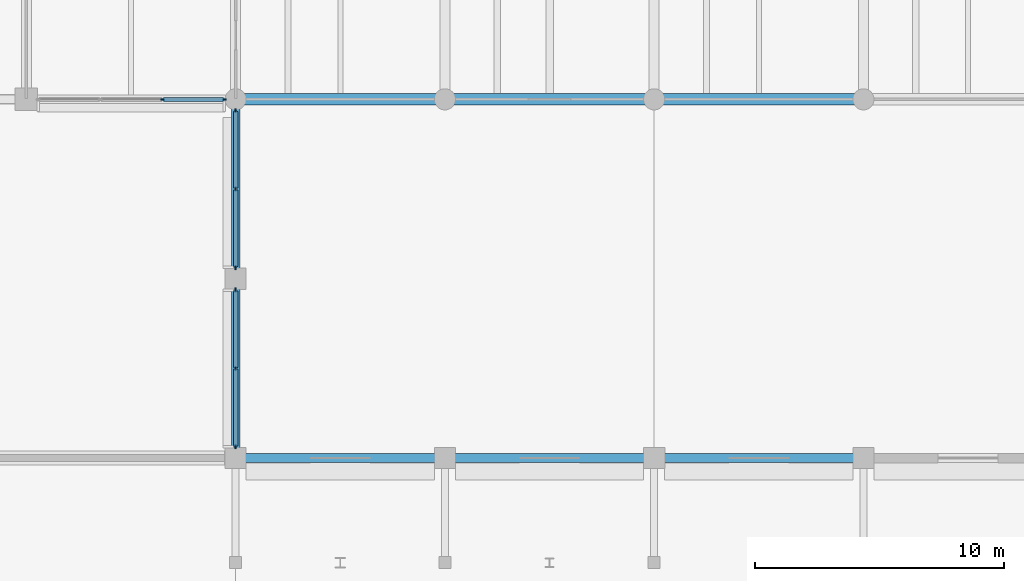
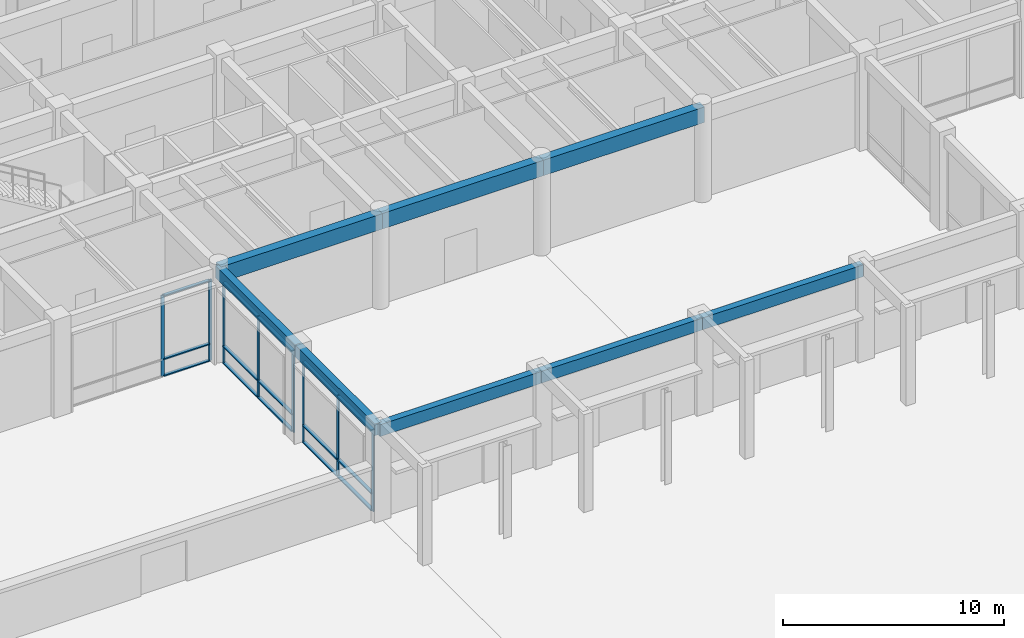
# One storey, part 20 of 73: 23 members, 8 beams, 3 elements without a shape of their own.
"""IFC4 building model written with IfcOpenShell, lengths in metres."""

from ifc_helpers import new_model, si_unit, direction, frame, origin, origin_2d, place, context, subcontext, project, spatial, rectangle, extrude, material, layer, layer_set, material_profile, profile_set, type_object, element, aggregate, save


model = new_model("IFC4")

# Units and contexts
model_context = context("Model", 3, precision=1e-05, world=origin(), true_north=direction((0.0, 1.0)))
body_context = subcontext(model_context, "Body", "Model", "MODEL_VIEW")
ifc_project = project(units=[si_unit("LENGTHUNIT", "METRE"), si_unit("AREAUNIT", "SQUARE_METRE"), si_unit("VOLUMEUNIT", "CUBIC_METRE"), si_unit("PLANEANGLEUNIT", "RADIAN"), si_unit("MASSUNIT", "GRAM", prefix="KILO")], contexts=[model_context])

# Site, building, storey
site_placement = place(None, origin())
site = spatial("IfcSite", under=ifc_project, at=site_placement, CompositionType="ELEMENT")
building_placement = place(site_placement, origin())
building = spatial("IfcBuilding", under=site, at=building_placement, Name="Chengyuan Square Courthouse", CompositionType="ELEMENT")
storey_placement = place(building_placement, origin())
storey = spatial("IfcBuildingStorey", under=building, at=storey_placement, Name="L01", CompositionType="ELEMENT", Elevation=0.0)

# Beams
ifc_material_1 = material(Name="Concrete C40", Category="concrete")
ifc_material_profile_1 = material_profile(ifc_material_1, rectangle(XDim=0.449951171875, YDim=0.85009765625, at=origin_2d()), Name="RC-BM-450x850")
ifc_profile_set_1 = profile_set([ifc_material_profile_1], Name="Concrete C40")
beam_type_1 = type_object("IfcBeamType", Name="BM-01", PredefinedType="USERDEFINED", material=ifc_profile_set_1)
beam_1_placement = place(storey_placement, frame((67.199951171875, 79.199951171875, 4.695068359375), z_axis=(1.0, 0.0, 0.0), x_axis=(0.0, 1.0, 0.0)))
element("IfcBeam", 1, at=beam_1_placement, inside=storey, type_object=beam_type_1, Name="Girder BM-L01-1697", ObjectType="GIRDER", PredefinedType="USERDEFINED", context=body_context, shape_type="SweptSolid", body=[
    extrude(rectangle(XDim=0.449951171875, YDim=0.85009765625, at=origin_2d()), origin(), (0.0, 0.0, 1.0), 8.400146484375),
])
for number, where, z_axis, x_axis, name in (
    (2, (75.60009765625, 79.199951171875, 4.695068359375), (1.0, 0.0, 0.0), (0.0, 1.0, 0.0), "Girder BM-L01-1698"),
    (3, (84.0, 79.199951171875, 4.695068359375), (1.0, 0.0, 0.0), (0.0, 1.0, 0.0), "Girder BM-L01-1699"),
):
    element("IfcBeam", number, at=place(storey_placement, frame(where, z_axis=z_axis, x_axis=x_axis)), inside=storey, type_object=beam_type_1, Name=name, ObjectType="GIRDER", PredefinedType="USERDEFINED", context=body_context, shape_type="SweptSolid", body=[
        extrude(rectangle(XDim=0.449951171875, YDim=0.85009765625, at=origin_2d()), origin(), (0.0, 0.0, 1.0), 8.39990234375),
    ])
ifc_material_profile_2 = material_profile(ifc_material_1, rectangle(XDim=0.35009765625, YDim=0.64990234375, at=origin_2d()), Name="RC-BM-350x650")
ifc_profile_set_2 = profile_set([ifc_material_profile_2], Name="Concrete C40")
beam_type_2 = type_object("IfcBeamType", Name="BM-03", PredefinedType="SPANDREL", material=ifc_profile_set_2)
beam_2_placement = place(storey_placement, frame((67.199951171875, 64.800048828125, 4.794921875), z_axis=(1.0, 0.0, 0.0), x_axis=(0.0, 1.0, 0.0)))
element("IfcBeam", 4, at=beam_2_placement, inside=storey, type_object=beam_type_2, Name="Girder BM-L01-1679", PredefinedType="SPANDREL", context=body_context, shape_type="SweptSolid", body=[
    extrude(rectangle(XDim=0.35009765625, YDim=0.64990234375, at=origin_2d()), origin(), (0.0, 0.0, 1.0), 8.400146484375),
])
for number, where, z_axis, x_axis, name in (
    (5, (75.60009765625, 64.800048828125, 4.794921875), (1.0, 0.0, 0.0), (0.0, 1.0, 0.0), "Girder BM-L01-1680"),
    (6, (84.0, 64.800048828125, 4.794921875), (1.0, 0.0, 0.0), (0.0, 1.0, 0.0), "Girder BM-L01-1681"),
):
    element("IfcBeam", number, at=place(storey_placement, frame(where, z_axis=z_axis, x_axis=x_axis)), inside=storey, type_object=beam_type_2, Name=name, PredefinedType="SPANDREL", context=body_context, shape_type="SweptSolid", body=[
        extrude(rectangle(XDim=0.35009765625, YDim=0.64990234375, at=origin_2d()), origin(), (0.0, 0.0, 1.0), 8.39990234375),
    ])
for number, where, z_axis, x_axis, name in (
    (7, (67.199951171875, 64.800048828125, 4.794921875), (0.0, 1.0, 0.0), (-1.0, 0.0, 0.0), "Girder BM-L01-1864"),
    (8, (67.199951171875, 72.0, 4.794921875), (0.0, 1.0, 0.0), (-1.0, 0.0, 0.0), "Girder BM-L01-1865"),
):
    element("IfcBeam", number, at=place(storey_placement, frame(where, z_axis=z_axis, x_axis=x_axis)), inside=storey, type_object=beam_type_2, Name=name, PredefinedType="SPANDREL", context=body_context, shape_type="SweptSolid", body=[
        extrude(rectangle(XDim=0.35009765625, YDim=0.64990234375, at=origin_2d()), origin(), (0.0, 0.0, 1.0), 7.199951171875),
    ])

# Curtain wall, members
ifc_material_2 = material(Name="Unitised Aluminium and Triple Low-E Glass", Category="aluminium")
ifc_layer_1 = layer(ifc_material_2, 0.159912109375)
ifc_layer_set_1 = layer_set([ifc_layer_1], Name="Unitised Aluminium and Triple Low-E Glass")
curtain_wall_type_1 = type_object("IfcCurtainWallType", Name="CW-01", PredefinedType="USERDEFINED", material=ifc_layer_set_1)
curtain_wall_1_placement = place(storey_placement, origin())
curtain_wall_1 = element("IfcCurtainWall", 9, at=curtain_wall_1_placement, inside=storey, type_object=curtain_wall_type_1, Name="Unitised Curtain Wall CW-L01-019", ObjectType="UNITISED CURTAIN WALL", PredefinedType="USERDEFINED")
ifc_material_3 = material(Name="Aluminium 6063-T6 Frame", Category="aluminium")
ifc_material_profile_3 = material_profile(ifc_material_3, rectangle(XDim=0.06005859375, YDim=0.159912109375, at=origin_2d()), Name="CW-MUL-60x160")
ifc_profile_set_3 = profile_set([ifc_material_profile_3], Name="Aluminium 6063-T6 Frame")
member_type_1 = type_object("IfcMemberType", Name="CWM-01", PredefinedType="MULLION", material=ifc_profile_set_3)
member_1_placement = place(storey_placement, frame((64.2666015625, 79.199951171875, 0.0), z_axis=(0.0, 0.0, 1.0), x_axis=(0.0, 1.0, 0.0)))
member_1 = element("IfcMember", 10, at=member_1_placement, type_object=member_type_1, Name="CW-01 mullion 3", PredefinedType="MULLION", context=body_context, shape_type="SweptSolid", body=[
    extrude(rectangle(XDim=0.06005859375, YDim=0.159912109375, at=origin_2d()), origin(), (0.0, 0.0, 1.0), 4.469970703125),
])
member_2_placement = place(storey_placement, frame((66.7451171875, 79.199951171875, 0.0), z_axis=(0.0, 0.0, 1.0), x_axis=(0.0, 1.0, 0.0)))
member_2 = element("IfcMember", 11, at=member_2_placement, type_object=member_type_1, Name="CW-01 mullion 4", PredefinedType="MULLION", context=body_context, shape_type="SweptSolid", body=[
    extrude(rectangle(XDim=0.06005859375, YDim=0.159912109375, at=origin_2d()), origin(), (0.0, 0.0, 1.0), 4.469970703125),
])

ifc_layer_2 = layer(ifc_material_2, 0.179931640625)
ifc_layer_set_2 = layer_set([ifc_layer_2], Name="Unitised Aluminium and Triple Low-E Glass")
curtain_wall_type_2 = type_object("IfcCurtainWallType", Name="CW-14", PredefinedType="USERDEFINED", material=ifc_layer_set_2)
curtain_wall_2_placement = place(storey_placement, origin())
curtain_wall_2 = element("IfcCurtainWall", 12, at=curtain_wall_2_placement, inside=storey, type_object=curtain_wall_type_2, Name="Unitised Curtain Wall CW-L01-020", ObjectType="UNITISED CURTAIN WALL", PredefinedType="USERDEFINED")
ifc_material_profile_4 = material_profile(ifc_material_3, rectangle(XDim=0.06494140625, YDim=0.179931640625, at=origin_2d()), Name="CW-MUL-65x180")
ifc_profile_set_4 = profile_set([ifc_material_profile_4], Name="Aluminium 6063-T6 Frame")
member_type_2 = type_object("IfcMemberType", Name="CWM-02", PredefinedType="MULLION", material=ifc_profile_set_4)
member_3_placement = place(storey_placement, frame((67.199951171875, 65.257568359375, 0.0), z_axis=(0.0, 0.0, 1.0), x_axis=(-1.0, 0.0, 0.0)))
member_3 = element("IfcMember", 13, at=member_3_placement, type_object=member_type_2, Name="CW-14 mullion 1", PredefinedType="MULLION", context=body_context, shape_type="SweptSolid", body=[
    extrude(rectangle(XDim=0.06494140625, YDim=0.179931640625, at=origin_2d()), origin(), (0.0, 0.0, 1.0), 4.469970703125),
])
member_4_placement = place(storey_placement, frame((67.199951171875, 68.39990234375, 0.0), z_axis=(0.0, 0.0, 1.0), x_axis=(-1.0, 0.0, 0.0)))
member_4 = element("IfcMember", 14, at=member_4_placement, type_object=member_type_2, Name="CW-14 mullion 2", PredefinedType="MULLION", context=body_context, shape_type="SweptSolid", body=[
    extrude(rectangle(XDim=0.06494140625, YDim=0.179931640625, at=origin_2d()), origin(), (0.0, 0.0, 1.0), 4.469970703125),
])
member_5_placement = place(storey_placement, frame((67.199951171875, 71.54248046875, 0.0), z_axis=(0.0, 0.0, 1.0), x_axis=(-1.0, 0.0, 0.0)))
member_5 = element("IfcMember", 15, at=member_5_placement, type_object=member_type_2, Name="CW-14 mullion 3", PredefinedType="MULLION", context=body_context, shape_type="SweptSolid", body=[
    extrude(rectangle(XDim=0.06494140625, YDim=0.179931640625, at=origin_2d()), origin(), (0.0, 0.0, 1.0), 4.469970703125),
])

curtain_wall_3_placement = place(storey_placement, origin())
curtain_wall_3 = element("IfcCurtainWall", 16, at=curtain_wall_3_placement, inside=storey, type_object=curtain_wall_type_2, Name="Unitised Curtain Wall CW-L01-021", ObjectType="UNITISED CURTAIN WALL", PredefinedType="USERDEFINED")
member_6_placement = place(storey_placement, frame((67.199951171875, 72.45751953125, 0.0), z_axis=(0.0, 0.0, 1.0), x_axis=(-1.0, 0.0, 0.0)))
member_6 = element("IfcMember", 17, at=member_6_placement, type_object=member_type_2, Name="CW-14 mullion 1", PredefinedType="MULLION", context=body_context, shape_type="SweptSolid", body=[
    extrude(rectangle(XDim=0.06494140625, YDim=0.179931640625, at=origin_2d()), origin(), (0.0, 0.0, 1.0), 4.469970703125),
])
member_7_placement = place(storey_placement, frame((67.199951171875, 75.60009765625, 0.0), z_axis=(0.0, 0.0, 1.0), x_axis=(-1.0, 0.0, 0.0)))
member_7 = element("IfcMember", 18, at=member_7_placement, type_object=member_type_2, Name="CW-14 mullion 2", PredefinedType="MULLION", context=body_context, shape_type="SweptSolid", body=[
    extrude(rectangle(XDim=0.06494140625, YDim=0.179931640625, at=origin_2d()), origin(), (0.0, 0.0, 1.0), 4.469970703125),
])
member_8_placement = place(storey_placement, frame((67.199951171875, 78.742431640625, 0.0), z_axis=(0.0, 0.0, 1.0), x_axis=(-1.0, 0.0, 0.0)))
member_8 = element("IfcMember", 19, at=member_8_placement, type_object=member_type_2, Name="CW-14 mullion 3", PredefinedType="MULLION", context=body_context, shape_type="SweptSolid", body=[
    extrude(rectangle(XDim=0.06494140625, YDim=0.179931640625, at=origin_2d()), origin(), (0.0, 0.0, 1.0), 4.469970703125),
])

# Member
ifc_material_profile_5 = material_profile(ifc_material_3, rectangle(XDim=0.159912109375, YDim=0.06005859375, at=origin_2d()), Name="CW-TRN-60x120")
ifc_profile_set_5 = profile_set([ifc_material_profile_5], Name="Aluminium 6063-T6 Frame")
member_type_3 = type_object("IfcMemberType", Name="CWT-01", PredefinedType="USERDEFINED", material=ifc_profile_set_5)
member_9_placement = place(storey_placement, frame((64.296630859375, 79.199951171875, 0.030029296875), z_axis=(1.0, 0.0, 0.0), x_axis=(0.0, 1.0, 0.0)))
member_9 = element("IfcMember", 20, at=member_9_placement, type_object=member_type_3, Name="CW-01 transom 3.1", ObjectType="TRANSOM", PredefinedType="USERDEFINED", context=body_context, shape_type="SweptSolid", body=[
    extrude(rectangle(XDim=0.159912109375, YDim=0.06005859375, at=origin_2d()), origin(), (0.0, 0.0, 1.0), 2.41845703125),
])

member_10_placement = place(storey_placement, frame((64.296630859375, 79.199951171875, 0.949951171875), z_axis=(1.0, 0.0, 0.0), x_axis=(0.0, 1.0, 0.0)))
member_10 = element("IfcMember", 21, at=member_10_placement, type_object=member_type_3, Name="CW-01 transom 3.2", ObjectType="TRANSOM", PredefinedType="USERDEFINED", context=body_context, shape_type="SweptSolid", body=[
    extrude(rectangle(XDim=0.159912109375, YDim=0.06005859375, at=origin_2d()), origin(), (0.0, 0.0, 1.0), 2.41845703125),
])

member_11_placement = place(storey_placement, frame((64.296630859375, 79.199951171875, 4.43994140625), z_axis=(1.0, 0.0, 0.0), x_axis=(0.0, 1.0, 0.0)))
member_11 = element("IfcMember", 22, at=member_11_placement, type_object=member_type_3, Name="CW-01 transom 3.3", ObjectType="TRANSOM", PredefinedType="USERDEFINED", context=body_context, shape_type="SweptSolid", body=[
    extrude(rectangle(XDim=0.159912109375, YDim=0.06005859375, at=origin_2d()), origin(), (0.0, 0.0, 1.0), 2.41845703125),
])

aggregate(curtain_wall_1, [member_1, member_2, member_9, member_10, member_11])

ifc_material_profile_6 = material_profile(ifc_material_3, rectangle(XDim=0.179931640625, YDim=0.06494140625, at=origin_2d()), Name="CW-TRN-65x140")
ifc_profile_set_6 = profile_set([ifc_material_profile_6], Name="Aluminium 6063-T6 Frame")
member_type_4 = type_object("IfcMemberType", Name="CWT-02", PredefinedType="USERDEFINED", material=ifc_profile_set_6)
member_12_placement = place(storey_placement, frame((67.199951171875, 65.2900390625, 0.032470703125), z_axis=(0.0, 1.0, 0.0), x_axis=(-1.0, 0.0, 0.0)))
member_12 = element("IfcMember", 23, at=member_12_placement, type_object=member_type_4, Name="CW-14 transom 1.1", ObjectType="TRANSOM", PredefinedType="USERDEFINED", context=body_context, shape_type="SweptSolid", body=[
    extrude(rectangle(XDim=0.179931640625, YDim=0.06494140625, at=origin_2d()), origin(), (0.0, 0.0, 1.0), 3.077392578125),
])

member_13_placement = place(storey_placement, frame((67.199951171875, 65.2900390625, 0.949951171875), z_axis=(0.0, 1.0, 0.0), x_axis=(-1.0, 0.0, 0.0)))
member_13 = element("IfcMember", 24, at=member_13_placement, type_object=member_type_4, Name="CW-14 transom 1.2", ObjectType="TRANSOM", PredefinedType="USERDEFINED", context=body_context, shape_type="SweptSolid", body=[
    extrude(rectangle(XDim=0.179931640625, YDim=0.06494140625, at=origin_2d()), origin(), (0.0, 0.0, 1.0), 3.077392578125),
])

member_14_placement = place(storey_placement, frame((67.199951171875, 65.2900390625, 4.4375), z_axis=(0.0, 1.0, 0.0), x_axis=(-1.0, 0.0, 0.0)))
member_14 = element("IfcMember", 25, at=member_14_placement, type_object=member_type_4, Name="CW-14 transom 1.3", ObjectType="TRANSOM", PredefinedType="USERDEFINED", context=body_context, shape_type="SweptSolid", body=[
    extrude(rectangle(XDim=0.179931640625, YDim=0.06494140625, at=origin_2d()), origin(), (0.0, 0.0, 1.0), 3.077392578125),
])

member_15_placement = place(storey_placement, frame((67.199951171875, 68.4326171875, 0.032470703125), z_axis=(0.0, 1.0, 0.0), x_axis=(-1.0, 0.0, 0.0)))
member_15 = element("IfcMember", 26, at=member_15_placement, type_object=member_type_4, Name="CW-14 transom 2.1", ObjectType="TRANSOM", PredefinedType="USERDEFINED", context=body_context, shape_type="SweptSolid", body=[
    extrude(rectangle(XDim=0.179931640625, YDim=0.06494140625, at=origin_2d()), origin(), (0.0, 0.0, 1.0), 3.077392578125),
])

member_16_placement = place(storey_placement, frame((67.199951171875, 68.4326171875, 0.949951171875), z_axis=(0.0, 1.0, 0.0), x_axis=(-1.0, 0.0, 0.0)))
member_16 = element("IfcMember", 27, at=member_16_placement, type_object=member_type_4, Name="CW-14 transom 2.2", ObjectType="TRANSOM", PredefinedType="USERDEFINED", context=body_context, shape_type="SweptSolid", body=[
    extrude(rectangle(XDim=0.179931640625, YDim=0.06494140625, at=origin_2d()), origin(), (0.0, 0.0, 1.0), 3.077392578125),
])

member_17_placement = place(storey_placement, frame((67.199951171875, 68.4326171875, 4.4375), z_axis=(0.0, 1.0, 0.0), x_axis=(-1.0, 0.0, 0.0)))
member_17 = element("IfcMember", 28, at=member_17_placement, type_object=member_type_4, Name="CW-14 transom 2.3", ObjectType="TRANSOM", PredefinedType="USERDEFINED", context=body_context, shape_type="SweptSolid", body=[
    extrude(rectangle(XDim=0.179931640625, YDim=0.06494140625, at=origin_2d()), origin(), (0.0, 0.0, 1.0), 3.077392578125),
])

aggregate(curtain_wall_2, [member_3, member_4, member_5, member_12, member_13, member_14, member_15, member_16, member_17])

member_18_placement = place(storey_placement, frame((67.199951171875, 72.489990234375, 0.032470703125), z_axis=(0.0, 1.0, 0.0), x_axis=(-1.0, 0.0, 0.0)))
member_18 = element("IfcMember", 29, at=member_18_placement, type_object=member_type_4, Name="CW-14 transom 1.1", ObjectType="TRANSOM", PredefinedType="USERDEFINED", context=body_context, shape_type="SweptSolid", body=[
    extrude(rectangle(XDim=0.179931640625, YDim=0.06494140625, at=origin_2d()), origin(), (0.0, 0.0, 1.0), 3.077392578125),
])

member_19_placement = place(storey_placement, frame((67.199951171875, 72.489990234375, 0.949951171875), z_axis=(0.0, 1.0, 0.0), x_axis=(-1.0, 0.0, 0.0)))
member_19 = element("IfcMember", 30, at=member_19_placement, type_object=member_type_4, Name="CW-14 transom 1.2", ObjectType="TRANSOM", PredefinedType="USERDEFINED", context=body_context, shape_type="SweptSolid", body=[
    extrude(rectangle(XDim=0.179931640625, YDim=0.06494140625, at=origin_2d()), origin(), (0.0, 0.0, 1.0), 3.077392578125),
])

member_20_placement = place(storey_placement, frame((67.199951171875, 72.489990234375, 4.4375), z_axis=(0.0, 1.0, 0.0), x_axis=(-1.0, 0.0, 0.0)))
member_20 = element("IfcMember", 31, at=member_20_placement, type_object=member_type_4, Name="CW-14 transom 1.3", ObjectType="TRANSOM", PredefinedType="USERDEFINED", context=body_context, shape_type="SweptSolid", body=[
    extrude(rectangle(XDim=0.179931640625, YDim=0.06494140625, at=origin_2d()), origin(), (0.0, 0.0, 1.0), 3.077392578125),
])

member_21_placement = place(storey_placement, frame((67.199951171875, 75.632568359375, 0.032470703125), z_axis=(0.0, 1.0, 0.0), x_axis=(-1.0, 0.0, 0.0)))
member_21 = element("IfcMember", 32, at=member_21_placement, type_object=member_type_4, Name="CW-14 transom 2.1", ObjectType="TRANSOM", PredefinedType="USERDEFINED", context=body_context, shape_type="SweptSolid", body=[
    extrude(rectangle(XDim=0.179931640625, YDim=0.06494140625, at=origin_2d()), origin(), (0.0, 0.0, 1.0), 3.077392578125),
])

member_22_placement = place(storey_placement, frame((67.199951171875, 75.632568359375, 0.949951171875), z_axis=(0.0, 1.0, 0.0), x_axis=(-1.0, 0.0, 0.0)))
member_22 = element("IfcMember", 33, at=member_22_placement, type_object=member_type_4, Name="CW-14 transom 2.2", ObjectType="TRANSOM", PredefinedType="USERDEFINED", context=body_context, shape_type="SweptSolid", body=[
    extrude(rectangle(XDim=0.179931640625, YDim=0.06494140625, at=origin_2d()), origin(), (0.0, 0.0, 1.0), 3.077392578125),
])

member_23_placement = place(storey_placement, frame((67.199951171875, 75.632568359375, 4.4375), z_axis=(0.0, 1.0, 0.0), x_axis=(-1.0, 0.0, 0.0)))
member_23 = element("IfcMember", 34, at=member_23_placement, type_object=member_type_4, Name="CW-14 transom 2.3", ObjectType="TRANSOM", PredefinedType="USERDEFINED", context=body_context, shape_type="SweptSolid", body=[
    extrude(rectangle(XDim=0.179931640625, YDim=0.06494140625, at=origin_2d()), origin(), (0.0, 0.0, 1.0), 3.077392578125),
])

aggregate(curtain_wall_3, [member_6, member_7, member_8, member_18, member_19, member_20, member_21, member_22, member_23])

save(model, "model.ifc")
